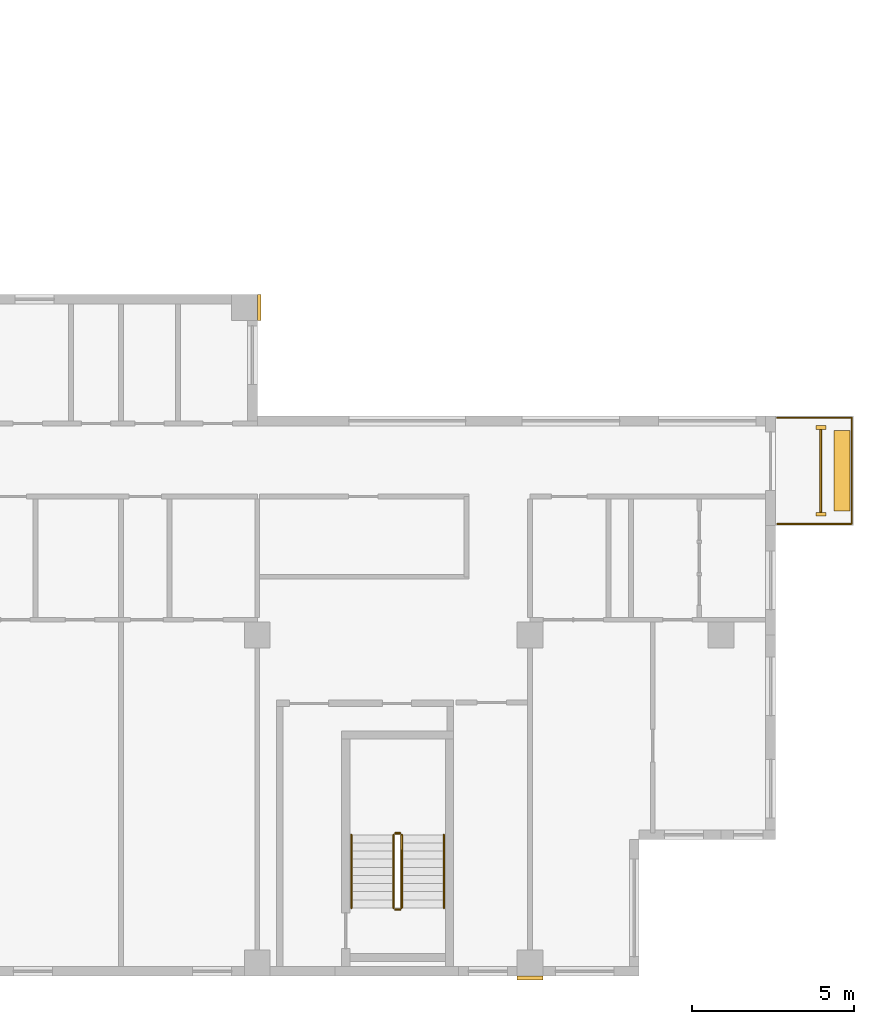
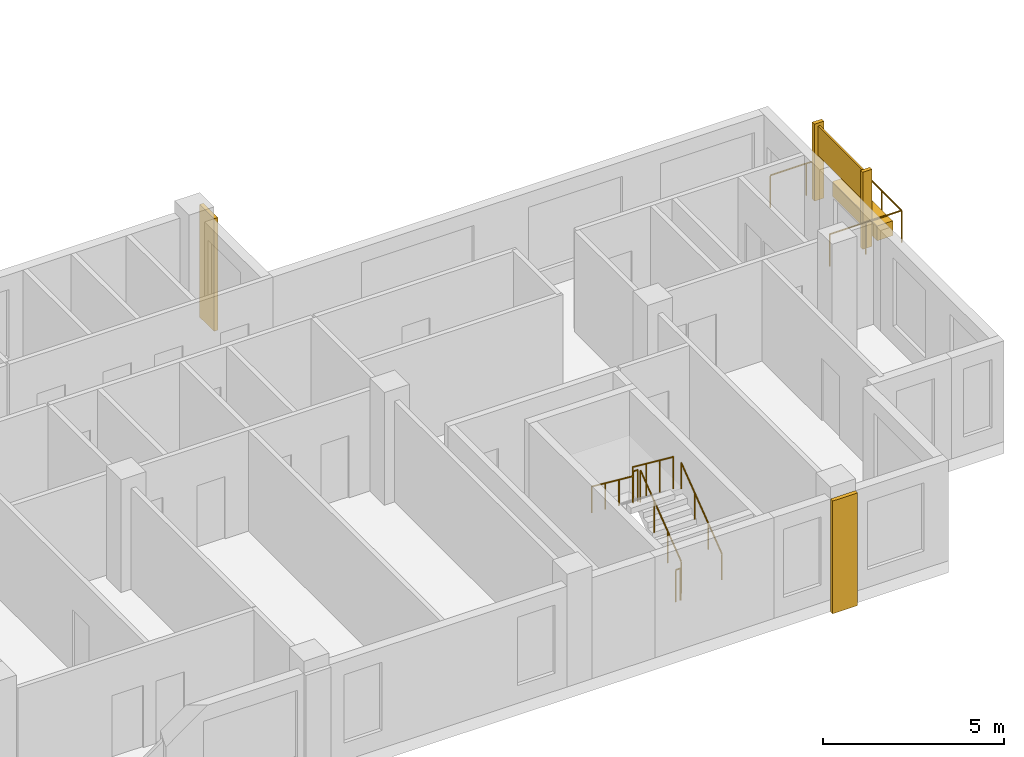
# One storey, part 10 of 11: 7 railings, 6 coverings.
"""IFC4 building model written with IfcOpenShell, lengths in metres."""

from ifc_helpers import new_model, si_unit, direction, frame, origin, origin_2d, place, context, subcontext, project, spatial, rectangle, circle, extrude, source, transform, mapped, material, type_object, element, save


model = new_model("IFC4")

# Units and contexts
model_context = context("Model", 3, precision=1e-05, world=origin(), true_north=direction((0.0, 1.0)))
body_context = subcontext(model_context, "Body", "Model", "MODEL_VIEW")
ifc_project = project(units=[si_unit("LENGTHUNIT", "METRE"), si_unit("AREAUNIT", "SQUARE_METRE"), si_unit("VOLUMEUNIT", "CUBIC_METRE"), si_unit("PLANEANGLEUNIT", "RADIAN"), si_unit("MASSUNIT", "GRAM", prefix="KILO")], contexts=[model_context])

# Site, building, storey
site_placement = place(None, origin())
site = spatial("IfcSite", under=ifc_project, at=site_placement, CompositionType="ELEMENT")
building_placement = place(site_placement, origin())
building = spatial("IfcBuilding", under=site, at=building_placement, Name="Aurelian Terraces", CompositionType="ELEMENT")
storey_placement = place(building_placement, frame((0.0, 0.0, 265.2)))
storey = spatial("IfcBuildingStorey", under=building, at=storey_placement, Name="L61", CompositionType="ELEMENT", Elevation=265.2)

# Coverings
ifc_material_1 = material(Name="Terracotta rainscreen cladding relief", Category="masonry")
covering_type_1 = type_object("IfcCoveringType", Name="FIN-TC", PredefinedType="CLADDING", material=ifc_material_1)
shared_shape_1 = source(origin(), body_context, "Body", "SweptSolid", [
    extrude(rectangle(XDim=0.3, YDim=0.12, at=origin_2d()), origin(), (0.0, 0.0, 1.0), 2.6),
])
for number, where, z_axis, x_axis, name in (
    (1, (55.16, 14.225, 0.0), (0.0, 0.0, 1.0), (1.0, 0.0, 0.0), "FIN L61 L61-F04-12.1"),
    (2, (55.16, 16.9, 0.0), (0.0, 0.0, 1.0), (1.0, 0.0, 0.0), "FIN L61 L61-F04-12.2"),
):
    element("IfcCovering", number, at=place(storey_placement, frame(where, z_axis=z_axis, x_axis=x_axis)), inside=storey, type_object=covering_type_1, Name=name, PredefinedType="CLADDING", context=body_context, shape_type="MappedRepresentation", body=[
        mapped(shared_shape_1, transform((0.0, 0.0, 0.0), scale=1.0)),
    ])

# Railing
ifc_material_2 = material(Name="Anodised aluminium", Category="aluminium")
railing_type_1 = type_object("IfcRailingType", Name="GUARD-1100", PredefinedType="GUARDRAIL", material=ifc_material_2)
shared_shape_2 = source(origin(), body_context, "Body", "SweptSolid", [
    extrude(circle(Radius=0.024, at=origin_2d()), frame((0.0, 0.0, 1.076), z_axis=(1.0, 0.0, 0.0), x_axis=(0.0, 1.0, 0.0)), (0.0, 0.0, 1.0), 2.3),
    extrude(circle(Radius=0.024, at=origin_2d()), frame((2.3, 0.0, 1.076), z_axis=(0.0, 1.0, 0.0), x_axis=(-1.0, 0.0, 0.0)), (0.0, 0.0, 1.0), 3.275),
    extrude(circle(Radius=0.024, at=origin_2d()), frame((2.3, 3.275, 1.076), z_axis=(-1.0, 0.0, 0.0), x_axis=(0.0, -1.0, 0.0)), (0.0, 0.0, 1.0), 2.3),
    extrude(circle(Radius=0.021, at=origin_2d()), origin(), (0.0, 0.0, 1.0), 1.052),
    extrude(circle(Radius=0.021, at=origin_2d()), frame((1.15, 0.0, 0.0)), (0.0, 0.0, 1.0), 1.052),
    extrude(circle(Radius=0.021, at=origin_2d()), frame((2.3, 0.0, 0.0)), (0.0, 0.0, 1.0), 1.052),
    extrude(circle(Radius=0.021, at=origin_2d()), frame((2.3, 1.0917, 0.0)), (0.0, 0.0, 1.0), 1.052),
    extrude(circle(Radius=0.021, at=origin_2d()), frame((2.3, 2.1833, 0.0)), (0.0, 0.0, 1.0), 1.052),
    extrude(circle(Radius=0.021, at=origin_2d()), frame((2.3, 3.275, 0.0)), (0.0, 0.0, 1.0), 1.052),
    extrude(circle(Radius=0.021, at=origin_2d()), frame((1.15, 3.275, 0.0)), (0.0, 0.0, 1.0), 1.052),
    extrude(circle(Radius=0.021, at=origin_2d()), frame((0.0, 3.275, 0.0)), (0.0, 0.0, 1.0), 1.052),
])
railing_1_placement = place(storey_placement, frame((53.81, 13.925, 0.0)))
element("IfcRailing", 3, at=railing_1_placement, inside=storey, type_object=railing_type_1, Name="Balcony guard L61 F04.12", PredefinedType="GUARDRAIL", context=body_context, shape_type="MappedRepresentation", body=[
    mapped(shared_shape_2, transform((0.0, 0.0, 0.0), scale=1.0)),
])

# Coverings
ifc_material_3 = material(Name="Terracotta planter with planting soil", Category="masonry")
covering_type_2 = type_object("IfcCoveringType", Name="PLANTER-TROUGH", PredefinedType="USERDEFINED", material=ifc_material_3)
shared_shape_3 = source(origin(), body_context, "Body", "SweptSolid", [
    extrude(rectangle(XDim=0.5, YDim=2.475, at=origin_2d()), origin(), (0.0, 0.0, 1.0), 0.5),
])
covering_1_placement = place(storey_placement, frame((55.81, 15.5625, 0.0), z_axis=(0.0, 0.0, 1.0), x_axis=(1.0, 0.0, 0.0)))
element("IfcCovering", 4, at=covering_1_placement, inside=storey, type_object=covering_type_2, Name="PLANTER L61 L61-F04-12", ObjectType="PLANTER", PredefinedType="USERDEFINED", context=body_context, shape_type="MappedRepresentation", body=[
    mapped(shared_shape_3, transform((0.0, 0.0, 0.0), scale=1.0)),
])
ifc_material_4 = material(Name="Terracotta rainscreen cladding", Category="masonry")
covering_type_3 = type_object("IfcCoveringType", Name="SCREEN-TC", PredefinedType="CLADDING", material=ifc_material_4)
shared_shape_4 = source(origin(), body_context, "Body", "SweptSolid", [
    extrude(rectangle(XDim=0.06, YDim=2.555, at=origin_2d()), origin(), (0.0, 0.0, 1.0), 1.0),
])
covering_2_placement = place(storey_placement, frame((55.16, 15.5625, 1.5), z_axis=(0.0, 0.0, 1.0), x_axis=(1.0, 0.0, 0.0)))
element("IfcCovering", 5, at=covering_2_placement, inside=storey, type_object=covering_type_3, Name="SCREEN L61 L61-F04-12", PredefinedType="CLADDING", context=body_context, shape_type="MappedRepresentation", body=[
    mapped(shared_shape_4, transform((0.0, 0.0, 0.0), scale=1.0)),
])
covering_type_4 = type_object("IfcCoveringType", Name="BAGUETTE-TC", PredefinedType="CLADDING", material=ifc_material_1)
shared_shape_5 = source(origin(), body_context, "Body", "SweptSolid", [
    extrude(rectangle(XDim=0.8, YDim=0.12, at=origin_2d()), origin(), (0.0, 0.0, 1.0), 3.8),
])
covering_3_placement = place(storey_placement, frame((46.2, -0.06, -0.4), z_axis=(0.0, 0.0, 1.0), x_axis=(1.0, 0.0, 0.0)))
element("IfcCovering", 6, at=covering_3_placement, inside=storey, type_object=covering_type_4, Name="BAGUETTE pier L61 3", PredefinedType="CLADDING", context=body_context, shape_type="MappedRepresentation", body=[
    mapped(shared_shape_5, transform((0.0, 0.0, 0.0), scale=1.0)),
])
shared_shape_6 = source(origin(), body_context, "Body", "SweptSolid", [
    extrude(rectangle(XDim=0.12, YDim=0.8, at=origin_2d()), origin(), (0.0, 0.0, 1.0), 3.8),
])
covering_4_placement = place(storey_placement, frame((37.86, 20.6, -0.4), z_axis=(0.0, 0.0, 1.0), x_axis=(1.0, 0.0, 0.0)))
element("IfcCovering", 7, at=covering_4_placement, inside=storey, type_object=covering_type_4, Name="BAGUETTE pier L61 5", PredefinedType="CLADDING", context=body_context, shape_type="MappedRepresentation", body=[
    mapped(shared_shape_6, transform((0.0, 0.0, 0.0), scale=1.0)),
])

# Railings
ifc_material_5 = material(Name="Stainless steel", Category="steel")
railing_type_2 = type_object("IfcRailingType", Name="Stair guard 1100", PredefinedType="GUARDRAIL", material=ifc_material_5)
shared_shape_7 = source(origin(), body_context, "Body", "SweptSolid", [
    extrude(circle(Radius=0.024, at=origin_2d()), frame((0.0, 0.0, 1.076), z_axis=(-1.0, 0.0, 0.0), x_axis=(0.0, -1.0, 0.0)), (0.0, 0.0, 1.0), 0.15),
    extrude(circle(Radius=0.021, at=origin_2d()), origin(), (0.0, 0.0, 1.0), 1.052),
    extrude(circle(Radius=0.021, at=origin_2d()), frame((-0.15, 0.0, 0.0)), (0.0, 0.0, 1.0), 1.052),
])
for number, where, name in (
    (8, (42.2, 4.4, 1.9), "L61 S2 stair guard 2"),
    (9, (42.2, 2.05, 0.0), "L61 S2 stair guard 4"),
):
    element("IfcRailing", number, at=place(storey_placement, frame(where)), inside=storey, type_object=railing_type_2, Name=name, PredefinedType="GUARDRAIL", context=body_context, shape_type="MappedRepresentation", body=[
        mapped(shared_shape_7, transform((0.0, 0.0, 0.0), scale=1.0)),
    ])
shared_shape_8 = source(origin(), body_context, "Body", "SweptSolid", [
    extrude(circle(Radius=0.024, at=origin_2d()), frame((0.0, 0.0, 1.076), z_axis=(0.0, 0.796162194123, 0.605083267534), x_axis=(-1.0, 0.0, 0.0)), (0.0, 0.0, 1.0), 2.8261),
    extrude(circle(Radius=0.021, at=origin_2d()), origin(), (0.0, 0.0, 1.0), 1.052),
    extrude(circle(Radius=0.021, at=origin_2d()), frame((0.0, 0.75, 0.57)), (0.0, 0.0, 1.0), 1.052),
    extrude(circle(Radius=0.021, at=origin_2d()), frame((0.0, 1.5, 1.14)), (0.0, 0.0, 1.0), 1.052),
    extrude(circle(Radius=0.021, at=origin_2d()), frame((0.0, 2.25, 1.71)), (0.0, 0.0, 1.0), 1.052),
])
railing_2_placement = place(storey_placement, frame((42.25, 2.1, 0.19)))
element("IfcRailing", 10, at=railing_2_placement, inside=storey, type_object=railing_type_2, Name="L61 S2 stair guard 1", PredefinedType="GUARDRAIL", context=body_context, shape_type="MappedRepresentation", body=[
    mapped(shared_shape_8, transform((0.0, 0.0, 0.0), scale=1.0)),
])
shared_shape_9 = source(origin(), body_context, "Body", "SweptSolid", [
    extrude(circle(Radius=0.024, at=origin_2d()), frame((0.0, 0.0, 1.076), z_axis=(0.0, -0.796162194123, 0.605083267534), x_axis=(1.0, 0.0, 0.0)), (0.0, 0.0, 1.0), 2.8261),
    extrude(circle(Radius=0.021, at=origin_2d()), origin(), (0.0, 0.0, 1.0), 1.052),
    extrude(circle(Radius=0.021, at=origin_2d()), frame((0.0, -0.75, 0.57)), (0.0, 0.0, 1.0), 1.052),
    extrude(circle(Radius=0.021, at=origin_2d()), frame((0.0, -1.5, 1.14)), (0.0, 0.0, 1.0), 1.052),
    extrude(circle(Radius=0.021, at=origin_2d()), frame((0.0, -2.25, 1.71)), (0.0, 0.0, 1.0), 1.052),
])
railing_3_placement = place(storey_placement, frame((42.0, 4.35, 2.09)))
element("IfcRailing", 11, at=railing_3_placement, inside=storey, type_object=railing_type_2, Name="L61 S2 stair guard 3", PredefinedType="GUARDRAIL", context=body_context, shape_type="MappedRepresentation", body=[
    mapped(shared_shape_9, transform((0.0, 0.0, 0.0), scale=1.0)),
])
railing_type_3 = type_object("IfcRailingType", Name="Stair handrail", PredefinedType="HANDRAIL", material=ifc_material_5)
shared_shape_10 = source(origin(), body_context, "Body", "SweptSolid", [
    extrude(circle(Radius=0.024, at=origin_2d()), frame((0.0, 0.0, 0.876), z_axis=(0.0, 0.796162194123, 0.605083267534), x_axis=(-1.0, 0.0, 0.0)), (0.0, 0.0, 1.0), 2.8261),
    extrude(circle(Radius=0.021, at=origin_2d()), origin(), (0.0, 0.0, 1.0), 0.852),
    extrude(circle(Radius=0.021, at=origin_2d()), frame((0.0, 0.75, 0.57)), (0.0, 0.0, 1.0), 0.852),
    extrude(circle(Radius=0.021, at=origin_2d()), frame((0.0, 1.5, 1.14)), (0.0, 0.0, 1.0), 0.852),
    extrude(circle(Radius=0.021, at=origin_2d()), frame((0.0, 2.25, 1.71)), (0.0, 0.0, 1.0), 0.852),
])
railing_4_placement = place(storey_placement, frame((43.55, 2.1, 0.19)))
element("IfcRailing", 12, at=railing_4_placement, inside=storey, type_object=railing_type_3, Name="L61 S2 stair handrail 1", PredefinedType="HANDRAIL", context=body_context, shape_type="MappedRepresentation", body=[
    mapped(shared_shape_10, transform((0.0, 0.0, 0.0), scale=1.0)),
])
shared_shape_11 = source(origin(), body_context, "Body", "SweptSolid", [
    extrude(circle(Radius=0.024, at=origin_2d()), frame((0.0, 0.0, 0.876), z_axis=(0.0, -0.796162194123, 0.605083267534), x_axis=(1.0, 0.0, 0.0)), (0.0, 0.0, 1.0), 2.8261),
    extrude(circle(Radius=0.021, at=origin_2d()), origin(), (0.0, 0.0, 1.0), 0.852),
    extrude(circle(Radius=0.021, at=origin_2d()), frame((0.0, -0.75, 0.57)), (0.0, 0.0, 1.0), 0.852),
    extrude(circle(Radius=0.021, at=origin_2d()), frame((0.0, -1.5, 1.14)), (0.0, 0.0, 1.0), 0.852),
    extrude(circle(Radius=0.021, at=origin_2d()), frame((0.0, -2.25, 1.71)), (0.0, 0.0, 1.0), 0.852),
])
railing_5_placement = place(storey_placement, frame((40.7, 4.35, 2.09)))
element("IfcRailing", 13, at=railing_5_placement, inside=storey, type_object=railing_type_3, Name="L61 S2 stair handrail 2", PredefinedType="HANDRAIL", context=body_context, shape_type="MappedRepresentation", body=[
    mapped(shared_shape_11, transform((0.0, 0.0, 0.0), scale=1.0)),
])

save(model, "model.ifc")
